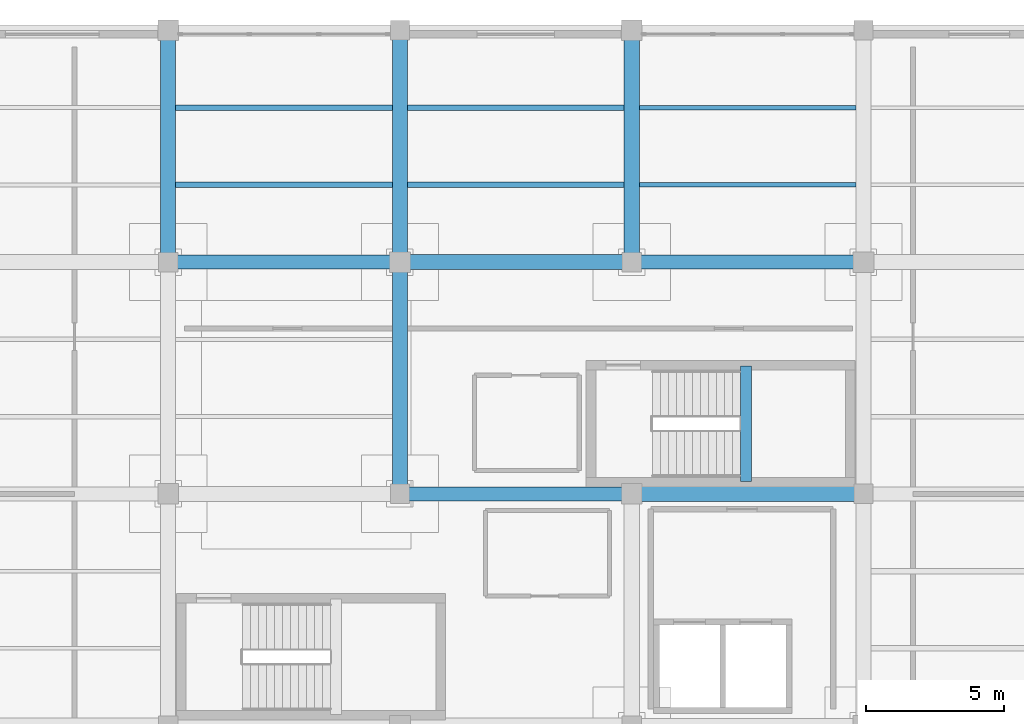
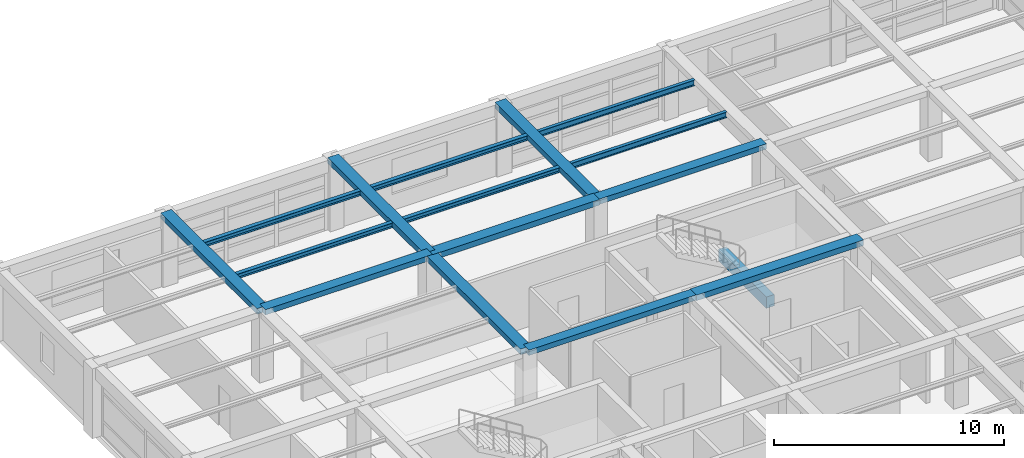
# One storey, part 9 of 26: 16 beams.
"""IFC4 building model written with IfcOpenShell, lengths in metres."""

from ifc_helpers import new_model, si_unit, direction, frame, origin, origin_2d, place, context, subcontext, project, spatial, rectangle, i_section, extrude, material, material_profile, profile_set, type_object, element, save


model = new_model("IFC4")

# Units and contexts
model_context = context("Model", 3, precision=1e-05, world=origin(), true_north=direction((0.0, 1.0)))
body_context = subcontext(model_context, "Body", "Model", "MODEL_VIEW")
ifc_project = project(units=[si_unit("LENGTHUNIT", "METRE"), si_unit("AREAUNIT", "SQUARE_METRE"), si_unit("VOLUMEUNIT", "CUBIC_METRE"), si_unit("PLANEANGLEUNIT", "RADIAN"), si_unit("MASSUNIT", "GRAM", prefix="KILO")], contexts=[model_context])

# Site, building, storey
site_placement = place(None, origin())
site = spatial("IfcSite", under=ifc_project, at=site_placement, CompositionType="ELEMENT")
building_placement = place(site_placement, origin())
building = spatial("IfcBuilding", under=site, at=building_placement, Name="Almacenes y Pasaje Nevantli", CompositionType="ELEMENT")
storey_placement = place(building_placement, frame((0.0, 0.0, 30.699951171875)))
storey = spatial("IfcBuildingStorey", under=building, at=storey_placement, Name="L07", CompositionType="ELEMENT", Elevation=30.699951171875)

# Beams
ifc_material_1 = material(Name="Concrete C35/45", Category="concrete")
ifc_material_profile_1 = material_profile(ifc_material_1, rectangle(XDim=0.39990234375, YDim=0.60009765625, at=origin_2d()), Name="RC-BM-400x600")
ifc_profile_set_1 = profile_set([ifc_material_profile_1], Name="Concrete C35/45")
beam_type_1 = type_object("IfcBeamType", Name="BM-RC-400x600", PredefinedType="SPANDREL", material=ifc_profile_set_1)
beam_1_placement = place(storey_placement, frame((138.5400390625, 84.449951171875, 1.5), z_axis=(0.0, 1.0, 0.0), x_axis=(-1.0, 0.0, 0.0)))
element("IfcBeam", 1, at=beam_1_placement, inside=storey, type_object=beam_type_1, Name="L07 Stair ST-02 Half-Landing Support Beam", PredefinedType="SPANDREL", context=body_context, shape_type="SweptSolid", body=[
    extrude(rectangle(XDim=0.39990234375, YDim=0.60009765625, at=origin_2d()), origin(), (0.0, 0.0, 1.0), 4.18994140625),
])
ifc_material_2 = material(Name="Concrete C35/45", Category="concrete")
ifc_material_profile_2 = material_profile(ifc_material_2, rectangle(XDim=0.5, YDim=0.280029296875, at=origin_2d()), Name="RC-BM-500x280")
ifc_profile_set_2 = profile_set([ifc_material_profile_2], Name="Concrete C35/45")
beam_type_2 = type_object("IfcBeamType", Name="BM-RC-500x280", PredefinedType="BEAM", material=ifc_profile_set_2)
for number, where, z_axis, x_axis, name in (
    (2, (126.0, 84.0, 3.580078125), (1.0, 0.0, 0.0), (0.0, 1.0, 0.0), "L07 East-West Reinforced Concrete Beam #3643"),
    (3, (117.60009765625, 92.39990234375, 3.580078125), (1.0, 0.0, 0.0), (0.0, 1.0, 0.0), "L07 East-West Reinforced Concrete Beam #3648"),
):
    element("IfcBeam", number, at=place(storey_placement, frame(where, z_axis=z_axis, x_axis=x_axis)), inside=storey, type_object=beam_type_2, Name=name, PredefinedType="BEAM", context=body_context, shape_type="SweptSolid", body=[
        extrude(rectangle(XDim=0.5, YDim=0.280029296875, at=origin_2d()), origin(), (0.0, 0.0, 1.0), 8.39990234375),
    ])
beam_2_placement = place(storey_placement, frame((134.39990234375, 92.39990234375, 3.580078125), z_axis=(1.0, 0.0, 0.0), x_axis=(0.0, 1.0, 0.0)))
element("IfcBeam", 4, at=beam_2_placement, inside=storey, type_object=beam_type_2, Name="L07 East-West Reinforced Concrete Beam #3650", PredefinedType="BEAM", context=body_context, shape_type="SweptSolid", body=[
    extrude(rectangle(XDim=0.5, YDim=0.280029296875, at=origin_2d()), origin(), (0.0, 0.0, 1.0), 8.400146484375),
])
ifc_material_3 = material(Name="Concrete C35/45", Category="concrete")
ifc_material_profile_3 = material_profile(ifc_material_3, rectangle(XDim=0.550048828125, YDim=0.300048828125, at=origin_2d()), Name="RC-BM-550x300")
ifc_profile_set_3 = profile_set([ifc_material_profile_3], Name="Concrete C35/45")
beam_type_3 = type_object("IfcBeamType", Name="BM-RC-550x300", PredefinedType="BEAM", material=ifc_profile_set_3)
beam_3_placement = place(storey_placement, frame((134.39990234375, 84.0, 3.570068359375), z_axis=(1.0, 0.0, 0.0), x_axis=(0.0, 1.0, 0.0)))
element("IfcBeam", 5, at=beam_3_placement, inside=storey, type_object=beam_type_3, Name="L07 East-West Reinforced Concrete Beam #3644", PredefinedType="BEAM", context=body_context, shape_type="SweptSolid", body=[
    extrude(rectangle(XDim=0.550048828125, YDim=0.300048828125, at=origin_2d()), origin(), (0.0, 0.0, 1.0), 8.400146484375),
])
beam_4_placement = place(storey_placement, frame((126.0, 92.39990234375, 3.570068359375), z_axis=(1.0, 0.0, 0.0), x_axis=(0.0, 1.0, 0.0)))
element("IfcBeam", 6, at=beam_4_placement, inside=storey, type_object=beam_type_3, Name="L07 East-West Reinforced Concrete Beam #3649", PredefinedType="BEAM", context=body_context, shape_type="SweptSolid", body=[
    extrude(rectangle(XDim=0.550048828125, YDim=0.300048828125, at=origin_2d()), origin(), (0.0, 0.0, 1.0), 8.39990234375),
])
beam_5_placement = place(storey_placement, frame((117.60009765625, 92.39990234375, 3.570068359375), z_axis=(0.0, 1.0, 0.0), x_axis=(-1.0, 0.0, 0.0)))
element("IfcBeam", 7, at=beam_5_placement, inside=storey, type_object=beam_type_3, Name="L07 North-South Reinforced Concrete Beam #3666", PredefinedType="BEAM", context=body_context, shape_type="SweptSolid", body=[
    extrude(rectangle(XDim=0.550048828125, YDim=0.300048828125, at=origin_2d()), origin(), (0.0, 0.0, 1.0), 8.400146484375),
])
beam_6_placement = place(storey_placement, frame((126.0, 84.0, 3.570068359375), z_axis=(0.0, 1.0, 0.0), x_axis=(-1.0, 0.0, 0.0)))
element("IfcBeam", 8, at=beam_6_placement, inside=storey, type_object=beam_type_3, Name="L07 North-South Reinforced Concrete Beam #3668", PredefinedType="BEAM", context=body_context, shape_type="SweptSolid", body=[
    extrude(rectangle(XDim=0.550048828125, YDim=0.300048828125, at=origin_2d()), origin(), (0.0, 0.0, 1.0), 8.39990234375),
])
for number, where, z_axis, x_axis, name in (
    (9, (126.0, 92.39990234375, 3.570068359375), (0.0, 1.0, 0.0), (-1.0, 0.0, 0.0), "L07 North-South Reinforced Concrete Beam #3669"),
    (10, (134.39990234375, 92.39990234375, 3.570068359375), (0.0, 1.0, 0.0), (-1.0, 0.0, 0.0), "L07 North-South Reinforced Concrete Beam #3672"),
):
    element("IfcBeam", number, at=place(storey_placement, frame(where, z_axis=z_axis, x_axis=x_axis)), inside=storey, type_object=beam_type_3, Name=name, PredefinedType="BEAM", context=body_context, shape_type="SweptSolid", body=[
        extrude(rectangle(XDim=0.550048828125, YDim=0.300048828125, at=origin_2d()), origin(), (0.0, 0.0, 1.0), 8.400146484375),
    ])
ifc_material_4 = material(Name="Steel ASTM A992", Category="steel")
ifc_material_profile_4 = material_profile(ifc_material_4, i_section(OverallWidth=0.202880859375, OverallDepth=0.25390625, WebThickness=0.00732421875, FlangeThickness=0.010986328125, at=origin_2d()), Name="IR 254x49.1")
ifc_profile_set_4 = profile_set([ifc_material_profile_4], Name="Steel ASTM A992")
beam_type_4 = type_object("IfcBeamType", Name="BM-STL-IR-254x49p1", PredefinedType="JOIST", material=ifc_profile_set_4)
for number, where, z_axis, x_axis, name in (
    (11, (117.875, 95.199951171875, 3.5849609375), (1.0, 0.0, 0.0), (0.0, 1.0, 0.0), "L07 Secondary Steel Floor Joist #1397"),
    (12, (117.875, 98.0, 3.5849609375), (1.0, 0.0, 0.0), (0.0, 1.0, 0.0), "L07 Secondary Steel Floor Joist #1398"),
):
    element("IfcBeam", number, at=place(storey_placement, frame(where, z_axis=z_axis, x_axis=x_axis)), inside=storey, type_object=beam_type_4, Name=name, PredefinedType="JOIST", context=body_context, shape_type="SweptSolid", body=[
        extrude(i_section(OverallWidth=0.202880859375, OverallDepth=0.25390625, WebThickness=0.00732421875, FlangeThickness=0.010986328125, at=origin_2d()), origin(), (0.0, 0.0, 1.0), 7.85009765625),
    ])
ifc_material_5 = material(Name="Steel ASTM A992", Category="steel")
ifc_material_profile_5 = material_profile(ifc_material_5, i_section(OverallWidth=0.2041015625, OverallDepth=0.258056640625, WebThickness=0.008056640625, FlangeThickness=0.013427734375, at=origin_2d()), Name="IR 254x58.0")
ifc_profile_set_5 = profile_set([ifc_material_profile_5], Name="Steel ASTM A992")
beam_type_5 = type_object("IfcBeamType", Name="BM-STL-IR-254x58p0", PredefinedType="JOIST", material=ifc_profile_set_5)
for number, where, z_axis, x_axis, name in (
    (13, (126.27490234375, 95.199951171875, 3.5830078125), (1.0, 0.0, 0.0), (0.0, 1.0, 0.0), "L07 Secondary Steel Floor Joist #1399"),
    (14, (126.27490234375, 98.0, 3.5830078125), (1.0, 0.0, 0.0), (0.0, 1.0, 0.0), "L07 Secondary Steel Floor Joist #1400"),
):
    element("IfcBeam", number, at=place(storey_placement, frame(where, z_axis=z_axis, x_axis=x_axis)), inside=storey, type_object=beam_type_5, Name=name, PredefinedType="JOIST", context=body_context, shape_type="SweptSolid", body=[
        extrude(i_section(OverallWidth=0.2041015625, OverallDepth=0.258056640625, WebThickness=0.008056640625, FlangeThickness=0.013427734375, at=origin_2d()), origin(), (0.0, 0.0, 1.0), 7.85009765625),
    ])
ifc_material_6 = material(Name="Steel ASTM A992", Category="steel")
ifc_material_profile_6 = material_profile(ifc_material_6, i_section(OverallWidth=0.1650390625, OverallDepth=0.306884765625, WebThickness=0.006591796875, FlangeThickness=0.01025390625, at=origin_2d()), Name="IR 305x44.6")
ifc_profile_set_6 = profile_set([ifc_material_profile_6], Name="Steel ASTM A992")
beam_type_6 = type_object("IfcBeamType", Name="BM-STL-IR-305x44p6", PredefinedType="JOIST", material=ifc_profile_set_6)
for number, where, z_axis, x_axis, name in (
    (15, (134.675048828125, 95.199951171875, 3.55859375), (1.0, 0.0, 0.0), (0.0, 1.0, 0.0), "L07 Secondary Steel Floor Joist #1403"),
    (16, (134.675048828125, 98.0, 3.55859375), (1.0, 0.0, 0.0), (0.0, 1.0, 0.0), "L07 Secondary Steel Floor Joist #1404"),
):
    element("IfcBeam", number, at=place(storey_placement, frame(where, z_axis=z_axis, x_axis=x_axis)), inside=storey, type_object=beam_type_6, Name=name, PredefinedType="JOIST", context=body_context, shape_type="SweptSolid", body=[
        extrude(i_section(OverallWidth=0.1650390625, OverallDepth=0.306884765625, WebThickness=0.006591796875, FlangeThickness=0.01025390625, at=origin_2d()), origin(), (0.0, 0.0, 1.0), 7.849853515625),
    ])

save(model, "model.ifc")
